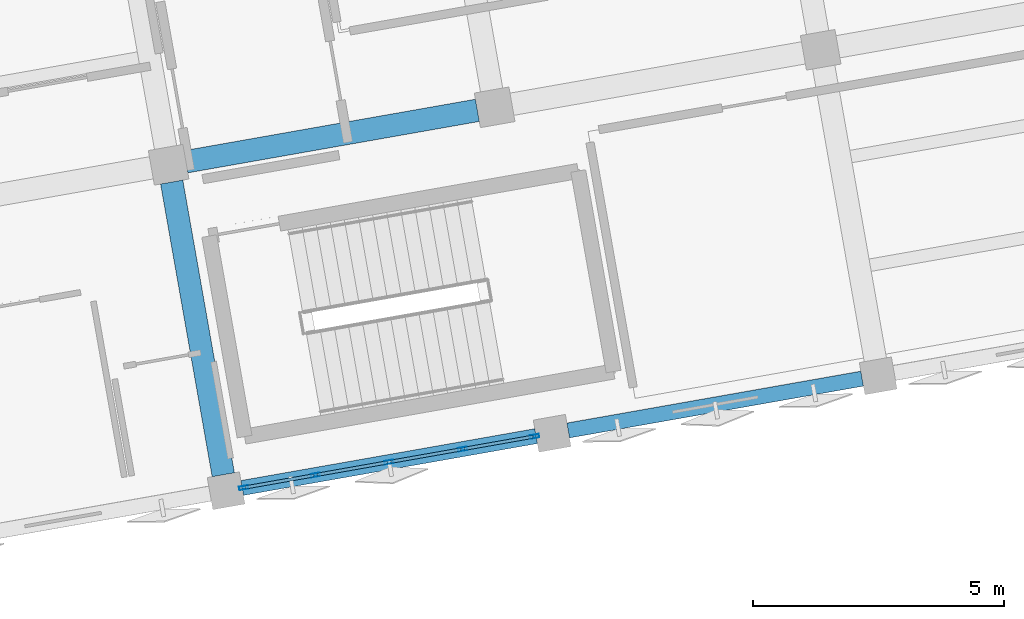
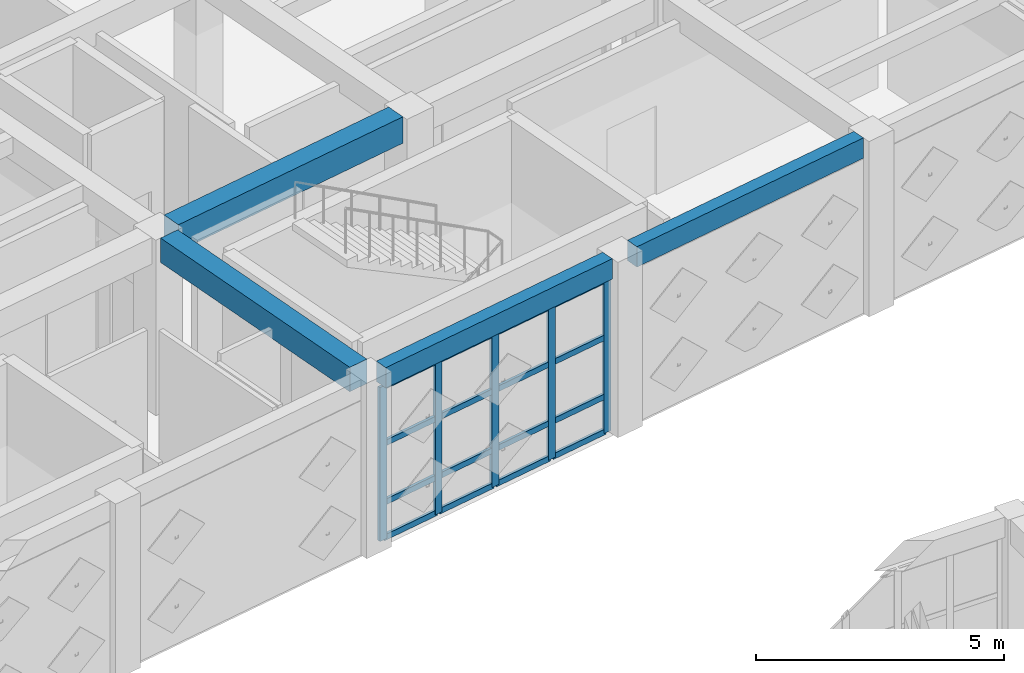
# One storey, part 12 of 48: 21 members, 4 beams, 1 element without a shape of its own.
"""IFC4 building model written with IfcOpenShell, lengths in metres."""

from ifc_helpers import new_model, si_unit, direction, frame, origin, origin_2d, place, context, subcontext, project, spatial, rectangle, hollow_rectangle, extrude, material, layer, layer_set, material_profile, profile_set, type_object, element, aggregate, save


model = new_model("IFC4")

# Units and contexts
model_context = context("Model", 3, precision=1e-05, world=origin(), true_north=direction((0.0, 1.0)))
body_context = subcontext(model_context, "Body", "Model", "MODEL_VIEW")
ifc_project = project(units=[si_unit("LENGTHUNIT", "METRE"), si_unit("AREAUNIT", "SQUARE_METRE"), si_unit("VOLUMEUNIT", "CUBIC_METRE"), si_unit("PLANEANGLEUNIT", "RADIAN"), si_unit("MASSUNIT", "GRAM", prefix="KILO")], contexts=[model_context])

# Site, building, storey
site_placement = place(None, origin())
site = spatial("IfcSite", under=ifc_project, at=site_placement, CompositionType="ELEMENT")
building_placement = place(site_placement, origin())
building = spatial("IfcBuilding", under=site, at=building_placement, Name="Kharisveld Research Institute", CompositionType="ELEMENT")
storey_placement = place(building_placement, frame((0.0, 0.0, 14.10009765625)))
storey = spatial("IfcBuildingStorey", under=building, at=storey_placement, Name="L03", CompositionType="ELEMENT", Elevation=14.10009765625)

# Beams
ifc_material_1 = material(Name="Concrete C40/50", Category="concrete")
ifc_material_profile_1 = material_profile(ifc_material_1, rectangle(XDim=0.449951171875, YDim=0.60009765625, at=origin_2d()))
ifc_profile_set_1 = profile_set([ifc_material_profile_1], Name="Concrete C40/50")
beam_type_1 = type_object("IfcBeamType", Name="BM_RC_450x600", PredefinedType="BEAM", material=ifc_profile_set_1)
beam_1_placement = place(storey_placement, frame((18.14306640625, 37.622314453125, 4.010009765625), z_axis=(-0.173639592071, 0.984809266846, 0.0), x_axis=(-0.984809266846, -0.173639592071, 0.0)))
element("IfcBeam", 1, at=beam_1_placement, inside=storey, type_object=beam_type_1, Name="BM:V1:L03:V2_0", PredefinedType="BEAM", context=body_context, shape_type="SweptSolid", body=[
    extrude(rectangle(XDim=0.449951171875, YDim=0.60009765625, at=origin_2d()), origin(), (0.0, 0.0, 1.0), 5.925048828125),
])
ifc_material_2 = material(Name="Concrete C40/50", Category="concrete")
ifc_material_profile_2 = material_profile(ifc_material_2, rectangle(XDim=0.449951171875, YDim=0.64990234375, at=origin_2d()))
ifc_profile_set_2 = profile_set([ifc_material_profile_2], Name="Concrete C40/50")
beam_type_2 = type_object("IfcBeamType", Name="BM_RC_450x650", PredefinedType="BEAM", material=ifc_profile_set_2)
beam_2_placement = place(storey_placement, frame((17.39794921875, 43.862548828125, 3.98486328125), z_axis=(0.98480479605, 0.173664946598, 0.0), x_axis=(-0.173664946598, 0.98480479605, 0.0)))
element("IfcBeam", 2, at=beam_2_placement, inside=storey, type_object=beam_type_2, Name="BM:V1:L03:U2_1", PredefinedType="BEAM", context=body_context, shape_type="SweptSolid", body=[
    extrude(rectangle(XDim=0.449951171875, YDim=0.64990234375, at=origin_2d()), origin(), (0.0, 0.0, 1.0), 5.900146484375),
])

# Curtain wall, members
ifc_material_3 = material(Name="Thermally Broken Aluminium Curtain Wall", Category="aluminium")
ifc_layer = layer(ifc_material_3, 0.159912109375)
ifc_layer_set = layer_set([ifc_layer], Name="CW_SYS_04")
curtain_wall_type = type_object("IfcCurtainWallType", Name="CW_SYS_04", PredefinedType="NOTDEFINED", material=ifc_layer_set)
curtain_wall_placement = place(storey_placement, origin())
curtain_wall = element("IfcCurtainWall", 3, at=curtain_wall_placement, inside=storey, type_object=curtain_wall_type, Name="CW:V1:L03:S3", PredefinedType="NOTDEFINED")
ifc_material_4 = material(Name="Anodised Aluminium AW-6063-T6", Category="aluminium")
ifc_material_profile_3 = material_profile(ifc_material_4, hollow_rectangle(XDim=0.070068359375, YDim=0.179931640625, WallThickness=0.00439453125, at=origin_2d()))
ifc_profile_set_3 = profile_set([ifc_material_profile_3], Name="Anodised Aluminium AW-6063-T6")
member_type_1 = type_object("IfcMemberType", Name="CW_MUL_180", PredefinedType="MULLION", material=ifc_profile_set_3)
member_1_placement = place(storey_placement, frame((24.349609375, 38.386474609375, 0.0), z_axis=(0.0, 0.0, 1.0), x_axis=(0.173648266375, -0.984807737371, 0.0)))
member_1 = element("IfcMember", 4, at=member_1_placement, type_object=member_type_1, Name="CW-04 mullion 1", PredefinedType="MULLION", context=body_context, shape_type="SweptSolid", body=[
    extrude(hollow_rectangle(XDim=0.070068359375, YDim=0.179931640625, WallThickness=0.00439453125, at=origin_2d()), origin(), (0.0, 0.0, 1.0), 3.77978515625),
])
member_2_placement = place(storey_placement, frame((22.916748046875, 38.134033203125, 0.0), z_axis=(0.0, 0.0, 1.0), x_axis=(0.173648266375, -0.984807737371, 0.0)))
member_2 = element("IfcMember", 5, at=member_2_placement, type_object=member_type_1, Name="CW-04 mullion 2", PredefinedType="MULLION", context=body_context, shape_type="SweptSolid", body=[
    extrude(hollow_rectangle(XDim=0.070068359375, YDim=0.179931640625, WallThickness=0.00439453125, at=origin_2d()), origin(), (0.0, 0.0, 1.0), 3.77978515625),
])
member_3_placement = place(storey_placement, frame((21.44921875, 37.875244140625, 0.0), z_axis=(0.0, 0.0, 1.0), x_axis=(0.173648266375, -0.984807737371, 0.0)))
member_3 = element("IfcMember", 6, at=member_3_placement, type_object=member_type_1, Name="CW-04 mullion 3", PredefinedType="MULLION", context=body_context, shape_type="SweptSolid", body=[
    extrude(hollow_rectangle(XDim=0.070068359375, YDim=0.179931640625, WallThickness=0.00439453125, at=origin_2d()), origin(), (0.0, 0.0, 1.0), 3.77978515625),
])
member_4_placement = place(storey_placement, frame((19.98193359375, 37.616455078125, 0.0), z_axis=(0.0, 0.0, 1.0), x_axis=(0.173648266375, -0.984807737371, 0.0)))
member_4 = element("IfcMember", 7, at=member_4_placement, type_object=member_type_1, Name="CW-04 mullion 4", PredefinedType="MULLION", context=body_context, shape_type="SweptSolid", body=[
    extrude(hollow_rectangle(XDim=0.070068359375, YDim=0.179931640625, WallThickness=0.00439453125, at=origin_2d()), origin(), (0.0, 0.0, 1.0), 3.77978515625),
])
member_5_placement = place(storey_placement, frame((18.549072265625, 37.36376953125, 0.0), z_axis=(0.0, 0.0, 1.0), x_axis=(0.173648266375, -0.984807737371, 0.0)))
member_5 = element("IfcMember", 8, at=member_5_placement, type_object=member_type_1, Name="CW-04 mullion 5", PredefinedType="MULLION", context=body_context, shape_type="SweptSolid", body=[
    extrude(hollow_rectangle(XDim=0.070068359375, YDim=0.179931640625, WallThickness=0.00439453125, at=origin_2d()), origin(), (0.0, 0.0, 1.0), 3.77978515625),
])
ifc_material_5 = material(Name="Anodised Aluminium AW-6063-T6", Category="aluminium")
ifc_material_profile_4 = material_profile(ifc_material_5, hollow_rectangle(XDim=0.06494140625, YDim=0.139892578125, WallThickness=0.00390625, at=origin_2d()))
ifc_profile_set_4 = profile_set([ifc_material_profile_4], Name="Anodised Aluminium AW-6063-T6")
member_type_2 = type_object("IfcMemberType", Name="CW_TRN_140", PredefinedType="USERDEFINED", material=ifc_profile_set_4)
member_6_placement = place(storey_placement, frame((24.315185546875, 38.380615234375, 0.032470703125), z_axis=(-0.984781784306, -0.173795389176, 0.0), x_axis=(0.173795389176, -0.984781784306, 0.0)))
member_6 = element("IfcMember", 9, at=member_6_placement, type_object=member_type_2, Name="CW-04 transom 1.1", ObjectType="TRANSOM", PredefinedType="USERDEFINED", context=body_context, shape_type="SweptSolid", body=[
    extrude(hollow_rectangle(XDim=0.06494140625, YDim=0.139892578125, WallThickness=0.00390625, at=origin_2d()), origin(), (0.0, 0.0, 1.0), 1.385009765625),
])
member_7_placement = place(storey_placement, frame((24.315185546875, 38.380615234375, 0.89990234375), z_axis=(-0.984781784306, -0.173795389176, 0.0), x_axis=(0.173795389176, -0.984781784306, 0.0)))
member_7 = element("IfcMember", 10, at=member_7_placement, type_object=member_type_2, Name="CW-04 transom 1.2", ObjectType="TRANSOM", PredefinedType="USERDEFINED", context=body_context, shape_type="SweptSolid", body=[
    extrude(hollow_rectangle(XDim=0.06494140625, YDim=0.139892578125, WallThickness=0.00390625, at=origin_2d()), origin(), (0.0, 0.0, 1.0), 1.385009765625),
])
member_8_placement = place(storey_placement, frame((24.315185546875, 38.380615234375, 2.349853515625), z_axis=(-0.984781784306, -0.173795389176, 0.0), x_axis=(0.173795389176, -0.984781784306, 0.0)))
member_8 = element("IfcMember", 11, at=member_8_placement, type_object=member_type_2, Name="CW-04 transom 1.3", ObjectType="TRANSOM", PredefinedType="USERDEFINED", context=body_context, shape_type="SweptSolid", body=[
    extrude(hollow_rectangle(XDim=0.06494140625, YDim=0.139892578125, WallThickness=0.00390625, at=origin_2d()), origin(), (0.0, 0.0, 1.0), 1.385009765625),
])
member_9_placement = place(storey_placement, frame((24.315185546875, 38.380615234375, 3.747314453125), z_axis=(-0.984781784306, -0.173795389176, 0.0), x_axis=(0.173795389176, -0.984781784306, 0.0)))
member_9 = element("IfcMember", 12, at=member_9_placement, type_object=member_type_2, Name="CW-04 transom 1.4", ObjectType="TRANSOM", PredefinedType="USERDEFINED", context=body_context, shape_type="SweptSolid", body=[
    extrude(hollow_rectangle(XDim=0.06494140625, YDim=0.139892578125, WallThickness=0.00390625, at=origin_2d()), origin(), (0.0, 0.0, 1.0), 1.385009765625),
])
member_10_placement = place(storey_placement, frame((22.88232421875, 38.1279296875, 0.032470703125), z_axis=(-0.984807780811, -0.17364802001, 0.0), x_axis=(0.17364802001, -0.984807780811, 0.0)))
member_10 = element("IfcMember", 13, at=member_10_placement, type_object=member_type_2, Name="CW-04 transom 2.1", ObjectType="TRANSOM", PredefinedType="USERDEFINED", context=body_context, shape_type="SweptSolid", body=[
    extrude(hollow_rectangle(XDim=0.06494140625, YDim=0.139892578125, WallThickness=0.00390625, at=origin_2d()), origin(), (0.0, 0.0, 1.0), 1.419921875),
])
member_11_placement = place(storey_placement, frame((22.88232421875, 38.1279296875, 0.89990234375), z_axis=(-0.984807780811, -0.17364802001, 0.0), x_axis=(0.17364802001, -0.984807780811, 0.0)))
member_11 = element("IfcMember", 14, at=member_11_placement, type_object=member_type_2, Name="CW-04 transom 2.2", ObjectType="TRANSOM", PredefinedType="USERDEFINED", context=body_context, shape_type="SweptSolid", body=[
    extrude(hollow_rectangle(XDim=0.06494140625, YDim=0.139892578125, WallThickness=0.00390625, at=origin_2d()), origin(), (0.0, 0.0, 1.0), 1.419921875),
])
member_12_placement = place(storey_placement, frame((22.88232421875, 38.1279296875, 2.349853515625), z_axis=(-0.984807780811, -0.17364802001, 0.0), x_axis=(0.17364802001, -0.984807780811, 0.0)))
member_12 = element("IfcMember", 15, at=member_12_placement, type_object=member_type_2, Name="CW-04 transom 2.3", ObjectType="TRANSOM", PredefinedType="USERDEFINED", context=body_context, shape_type="SweptSolid", body=[
    extrude(hollow_rectangle(XDim=0.06494140625, YDim=0.139892578125, WallThickness=0.00390625, at=origin_2d()), origin(), (0.0, 0.0, 1.0), 1.419921875),
])
member_13_placement = place(storey_placement, frame((22.88232421875, 38.1279296875, 3.747314453125), z_axis=(-0.984807780811, -0.17364802001, 0.0), x_axis=(0.17364802001, -0.984807780811, 0.0)))
member_13 = element("IfcMember", 16, at=member_13_placement, type_object=member_type_2, Name="CW-04 transom 2.4", ObjectType="TRANSOM", PredefinedType="USERDEFINED", context=body_context, shape_type="SweptSolid", body=[
    extrude(hollow_rectangle(XDim=0.06494140625, YDim=0.139892578125, WallThickness=0.00390625, at=origin_2d()), origin(), (0.0, 0.0, 1.0), 1.419921875),
])
member_14_placement = place(storey_placement, frame((21.414794921875, 37.869140625, 0.032470703125), z_axis=(-0.984807780811, -0.17364802001, 0.0), x_axis=(0.17364802001, -0.984807780811, 0.0)))
member_14 = element("IfcMember", 17, at=member_14_placement, type_object=member_type_2, Name="CW-04 transom 3.1", ObjectType="TRANSOM", PredefinedType="USERDEFINED", context=body_context, shape_type="SweptSolid", body=[
    extrude(hollow_rectangle(XDim=0.06494140625, YDim=0.139892578125, WallThickness=0.00390625, at=origin_2d()), origin(), (0.0, 0.0, 1.0), 1.419921875),
])
member_15_placement = place(storey_placement, frame((21.414794921875, 37.869140625, 0.89990234375), z_axis=(-0.984807780811, -0.17364802001, 0.0), x_axis=(0.17364802001, -0.984807780811, 0.0)))
member_15 = element("IfcMember", 18, at=member_15_placement, type_object=member_type_2, Name="CW-04 transom 3.2", ObjectType="TRANSOM", PredefinedType="USERDEFINED", context=body_context, shape_type="SweptSolid", body=[
    extrude(hollow_rectangle(XDim=0.06494140625, YDim=0.139892578125, WallThickness=0.00390625, at=origin_2d()), origin(), (0.0, 0.0, 1.0), 1.419921875),
])
member_16_placement = place(storey_placement, frame((21.414794921875, 37.869140625, 2.349853515625), z_axis=(-0.984807780811, -0.17364802001, 0.0), x_axis=(0.17364802001, -0.984807780811, 0.0)))
member_16 = element("IfcMember", 19, at=member_16_placement, type_object=member_type_2, Name="CW-04 transom 3.3", ObjectType="TRANSOM", PredefinedType="USERDEFINED", context=body_context, shape_type="SweptSolid", body=[
    extrude(hollow_rectangle(XDim=0.06494140625, YDim=0.139892578125, WallThickness=0.00390625, at=origin_2d()), origin(), (0.0, 0.0, 1.0), 1.419921875),
])
member_17_placement = place(storey_placement, frame((21.414794921875, 37.869140625, 3.747314453125), z_axis=(-0.984807780811, -0.17364802001, 0.0), x_axis=(0.17364802001, -0.984807780811, 0.0)))
member_17 = element("IfcMember", 20, at=member_17_placement, type_object=member_type_2, Name="CW-04 transom 3.4", ObjectType="TRANSOM", PredefinedType="USERDEFINED", context=body_context, shape_type="SweptSolid", body=[
    extrude(hollow_rectangle(XDim=0.06494140625, YDim=0.139892578125, WallThickness=0.00390625, at=origin_2d()), origin(), (0.0, 0.0, 1.0), 1.419921875),
])
member_18_placement = place(storey_placement, frame((19.947509765625, 37.6103515625, 0.032470703125), z_axis=(-0.984811937912, -0.173624442249, 0.0), x_axis=(0.173624442249, -0.984811937912, 0.0)))
member_18 = element("IfcMember", 21, at=member_18_placement, type_object=member_type_2, Name="CW-04 transom 4.1", ObjectType="TRANSOM", PredefinedType="USERDEFINED", context=body_context, shape_type="SweptSolid", body=[
    extrude(hollow_rectangle(XDim=0.06494140625, YDim=0.139892578125, WallThickness=0.00390625, at=origin_2d()), origin(), (0.0, 0.0, 1.0), 1.385009765625),
])
member_19_placement = place(storey_placement, frame((19.947509765625, 37.6103515625, 0.89990234375), z_axis=(-0.984811937912, -0.173624442249, 0.0), x_axis=(0.173624442249, -0.984811937912, 0.0)))
member_19 = element("IfcMember", 22, at=member_19_placement, type_object=member_type_2, Name="CW-04 transom 4.2", ObjectType="TRANSOM", PredefinedType="USERDEFINED", context=body_context, shape_type="SweptSolid", body=[
    extrude(hollow_rectangle(XDim=0.06494140625, YDim=0.139892578125, WallThickness=0.00390625, at=origin_2d()), origin(), (0.0, 0.0, 1.0), 1.385009765625),
])
member_20_placement = place(storey_placement, frame((19.947509765625, 37.6103515625, 2.349853515625), z_axis=(-0.984811937912, -0.173624442249, 0.0), x_axis=(0.173624442249, -0.984811937912, 0.0)))
member_20 = element("IfcMember", 23, at=member_20_placement, type_object=member_type_2, Name="CW-04 transom 4.3", ObjectType="TRANSOM", PredefinedType="USERDEFINED", context=body_context, shape_type="SweptSolid", body=[
    extrude(hollow_rectangle(XDim=0.06494140625, YDim=0.139892578125, WallThickness=0.00390625, at=origin_2d()), origin(), (0.0, 0.0, 1.0), 1.385009765625),
])
member_21_placement = place(storey_placement, frame((19.947509765625, 37.6103515625, 3.747314453125), z_axis=(-0.984811937912, -0.173624442249, 0.0), x_axis=(0.173624442249, -0.984811937912, 0.0)))
member_21 = element("IfcMember", 24, at=member_21_placement, type_object=member_type_2, Name="CW-04 transom 4.4", ObjectType="TRANSOM", PredefinedType="USERDEFINED", context=body_context, shape_type="SweptSolid", body=[
    extrude(hollow_rectangle(XDim=0.06494140625, YDim=0.139892578125, WallThickness=0.00390625, at=origin_2d()), origin(), (0.0, 0.0, 1.0), 1.385009765625),
])
aggregate(curtain_wall, [member_1, member_2, member_3, member_4, member_5, member_6, member_7, member_8, member_9, member_10, member_11, member_12, member_13, member_14, member_15, member_16, member_17, member_18, member_19, member_20, member_21])

# Beams
ifc_material_6 = material(Name="Concrete C40/50", Category="concrete")
ifc_material_profile_5 = material_profile(ifc_material_6, rectangle(XDim=0.300048828125, YDim=0.5, at=origin_2d()))
ifc_profile_set_5 = profile_set([ifc_material_profile_5], Name="Concrete C40/50")
beam_type_3 = type_object("IfcBeamType", Name="SP_RC_300x500", PredefinedType="SPANDREL", material=ifc_profile_set_5)
for number, where, z_axis, x_axis, name in (
    (25, (18.51953125, 37.358642578125, 4.059814453125), (0.984807920462, 0.173647228007, 0.0), (-0.173647228007, 0.984807920462, 0.0), "BM:V1:L03:U2_0"),
    (26, (25.019287109375, 38.504638671875, 4.059814453125), (0.984807920462, 0.173647228007, 0.0), (-0.173647228007, 0.984807920462, 0.0), "BM:V1:L03:U3_0"),
):
    element("IfcBeam", number, at=place(storey_placement, frame(where, z_axis=z_axis, x_axis=x_axis)), inside=storey, type_object=beam_type_3, Name=name, PredefinedType="SPANDREL", context=body_context, shape_type="SweptSolid", body=[
        extrude(rectangle(XDim=0.300048828125, YDim=0.5, at=origin_2d()), origin(), (0.0, 0.0, 1.0), 5.949951171875),
    ])

save(model, "model.ifc")
